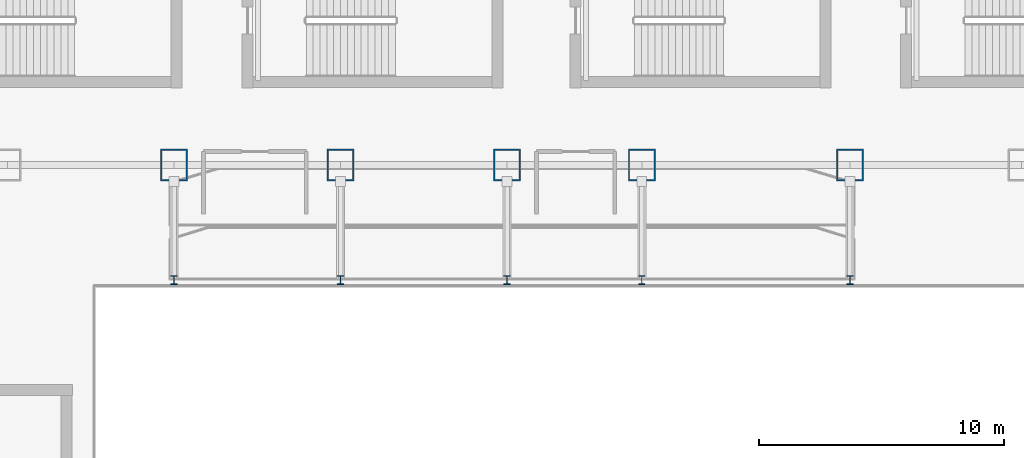
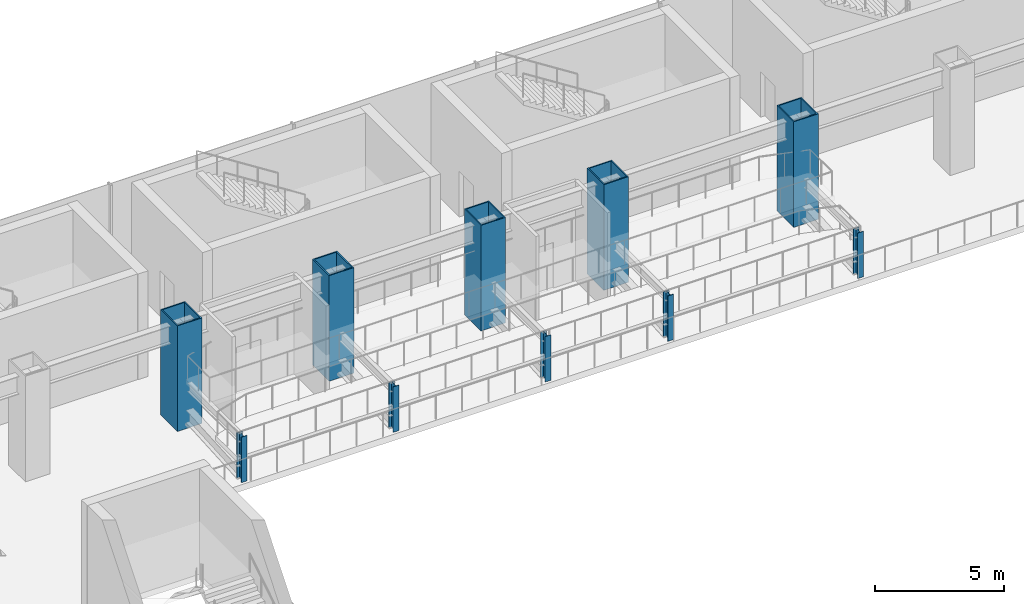
# One storey, part 2 of 39: 10 columns.
"""IFC4 building model written with IfcOpenShell, lengths in metres."""

import ifcopenshell
import ifcopenshell.guid

model = None  # the IFC model being written
_history = None  # IfcOwnerHistory: only IFC2X3 demands one
_inside = {}  # id of a spatial element -> (the spatial element, [elements in it])
_under = {}  # id of a project, library or spatial element -> (it, [spatial elements below it])
_declared = {}  # id of a project -> (the project, [libraries it declares])
_typed = {}  # id of a type object -> (the type object, [elements of that type])
_made_of = {}  # id of a material, layer set ... -> (it, [elements and type objects made of it])


def new_model(schema):
    """Start an empty IFC model of exactly this schema.

    Asked for "IFC4X3", IfcOpenShell would pick the latest addendum, in which some entities
    have other attributes; the version numbers below select the first issue.
    IFC2X3 requires an IfcOwnerHistory on every rooted entity: one is made here for all.
    """
    global model, _history
    if schema == "IFC4X3":
        model = ifcopenshell.file(schema_version=(4, 3, 0, 0))
    else:
        model = ifcopenshell.file(schema=schema)
    _inside.clear()
    _under.clear()
    _declared.clear()
    _typed.clear()
    _made_of.clear()
    _history = None
    if model.schema == "IFC2X3":
        org = make("IfcOrganization", Name="unknown")
        user = make(
            "IfcPersonAndOrganization",
            ThePerson=make("IfcPerson", FamilyName="unknown"),
            TheOrganization=org,
        )
        app = make(
            "IfcApplication",
            ApplicationDeveloper=org,
            Version="unknown",
            ApplicationFullName="unknown",
            ApplicationIdentifier="unknown",
        )
        _history = make(
            "IfcOwnerHistory",
            OwningUser=user,
            OwningApplication=app,
            ChangeAction="ADDED",
            CreationDate=0,
        )
    return model


def make(cls, **values):
    """One entity of the class cls with the attributes given. An attribute that is None is left unset."""
    return model.create_entity(
        cls, **{name: value for name, value in values.items() if value is not None}
    )


def rooted(cls, **values):
    """An entity with a GlobalId (a new one), such as an element, a storey or a relation."""
    return make(cls, GlobalId=ifcopenshell.guid.new(), OwnerHistory=_history, **values)


def si_unit(unit_type, name, prefix=None):
    """IfcSIUnit, for example si_unit("LENGTHUNIT", "METRE", prefix="MILLI")."""
    return make("IfcSIUnit", UnitType=unit_type, Prefix=prefix, Name=name)


def derived_unit(unit_type, elements):
    """IfcDerivedUnit: a product of units, each with its exponent."""
    return make(
        "IfcDerivedUnit",
        Elements=[
            make("IfcDerivedUnitElement", Unit=unit, Exponent=power)
            for unit, power in elements
        ],
        UnitType=unit_type,
    )


def assignment(units):
    """IfcUnitAssignment: the units of a project."""
    return None if units is None else make("IfcUnitAssignment", Units=units)


def point(xyz):
    """IfcCartesianPoint."""
    return None if xyz is None else make("IfcCartesianPoint", Coordinates=xyz)


def direction(xyz):
    """IfcDirection."""
    return None if xyz is None else make("IfcDirection", DirectionRatios=xyz)


def frame(location, z_axis=None, x_axis=None):
    """IfcAxis2Placement3D, a coordinate frame: its origin and axes. An axis left out is left unset."""
    return make(
        "IfcAxis2Placement3D",
        Location=point(location),
        Axis=direction(z_axis),
        RefDirection=direction(x_axis),
    )


def frame_2d(location, x_axis=None):
    """IfcAxis2Placement2D, a coordinate frame in the plane: its origin and x axis."""
    return make(
        "IfcAxis2Placement2D", Location=point(location), RefDirection=direction(x_axis)
    )


def origin():
    """The frame at (0, 0, 0) with its axes left unset."""
    return frame((0.0, 0.0, 0.0))


def origin_2d():
    """The frame at (0, 0) in the plane with its x axis left unset."""
    return frame_2d((0.0, 0.0))


def place(relative_to, where):
    """IfcLocalPlacement: puts the frame where relative to a parent placement (None: the world)."""
    return make(
        "IfcLocalPlacement", PlacementRelTo=relative_to, RelativePlacement=where
    )


def context(
    kind, dimensions, precision=None, world=None, true_north=None, identifier=None
):
    """IfcGeometricRepresentationContext, for example the 3D "Model" context."""
    return make(
        "IfcGeometricRepresentationContext",
        ContextIdentifier=identifier,
        ContextType=kind,
        CoordinateSpaceDimension=dimensions,
        Precision=precision,
        WorldCoordinateSystem=world,
        TrueNorth=true_north,
    )


def subcontext(parent, identifier, kind, view, scale=None):
    """IfcGeometricRepresentationSubContext, for example "Body" below "Model"."""
    return make(
        "IfcGeometricRepresentationSubContext",
        ContextIdentifier=identifier,
        ContextType=kind,
        ParentContext=parent,
        TargetScale=scale,
        TargetView=view,
    )


def project(units=None, contexts=None):
    """IfcProject with its units and contexts."""
    return rooted(
        "IfcProject",
        Name="project",
        RepresentationContexts=contexts,
        UnitsInContext=assignment(units),
    )


def spatial(cls, under=None, at=None, **own):
    """A site, building, storey or space (cls), placed at a placement, below another one or the project."""
    s = rooted(cls, ObjectPlacement=at, **own)
    if under is not None:
        _under.setdefault(under.id(), (under, []))[1].append(s)
    return s


def profile(cls, at=None, kind="AREA", **sizes):
    """A parametric profile (cls). Its sizes go by their IFC names, for example OverallWidth=200.0."""
    return make(cls, ProfileType=kind, Position=at, **sizes)


def hollow_rectangle(**sizes):
    """IfcRectangleHollowProfileDef."""
    return profile("IfcRectangleHollowProfileDef", **sizes)


def i_section(**sizes):
    """IfcIShapeProfileDef."""
    return profile("IfcIShapeProfileDef", **sizes)


def extrude(swept, where, along, depth):
    """IfcExtrudedAreaSolid: the profile swept, set in the frame where, extruded along a direction by depth."""
    return make(
        "IfcExtrudedAreaSolid",
        SweptArea=swept,
        Position=where,
        ExtrudedDirection=direction(along),
        Depth=depth,
    )


def shape(context_of_items, identifier, shape_type, items):
    """IfcShapeRepresentation: the items that make up one representation, for example the "Body"."""
    return make(
        "IfcShapeRepresentation",
        ContextOfItems=context_of_items,
        RepresentationIdentifier=identifier,
        RepresentationType=shape_type,
        Items=items,
    )


def source(mapping_origin, context_of_items, identifier, shape_type, items):
    """IfcRepresentationMap: a shape defined once, which mapped items show again and again."""
    return make(
        "IfcRepresentationMap",
        MappingOrigin=mapping_origin,
        MappedRepresentation=shape(context_of_items, identifier, shape_type, items),
    )


def transform(
    local_origin,
    x_axis=None,
    y_axis=None,
    z_axis=None,
    scale=None,
    scale2=None,
    scale3=None,
    uniform=True,
):
    """IfcCartesianTransformationOperator3D, or its non-uniform kind. x_axis, y_axis, z_axis: its Axis1, 2, 3."""
    if uniform:
        return make(
            "IfcCartesianTransformationOperator3D",
            Axis1=direction(x_axis),
            Axis2=direction(y_axis),
            LocalOrigin=point(local_origin),
            Scale=scale,
            Axis3=direction(z_axis),
        )
    return make(
        "IfcCartesianTransformationOperator3DnonUniform",
        Axis1=direction(x_axis),
        Axis2=direction(y_axis),
        LocalOrigin=point(local_origin),
        Scale=scale,
        Axis3=direction(z_axis),
        Scale2=scale2,
        Scale3=scale3,
    )


def mapped(mapping_source, mapping_target):
    """IfcMappedItem: shows the shape of a source again, moved by a transform."""
    return make(
        "IfcMappedItem", MappingSource=mapping_source, MappingTarget=mapping_target
    )


def material(Name=None, Category=None):
    """IfcMaterial."""
    return make("IfcMaterial", Name=Name, Category=Category)


def material_profile(
    of_material, cross_section, Name=None, Category=None, Priority=None
):
    """IfcMaterialProfile: a cross section and its material."""
    return make(
        "IfcMaterialProfile",
        Name=Name,
        Material=of_material,
        Profile=cross_section,
        Priority=Priority,
        Category=Category,
    )


def profile_set(profiles, Name=None, composite=None):
    """IfcMaterialProfileSet."""
    return make(
        "IfcMaterialProfileSet",
        Name=Name,
        MaterialProfiles=profiles,
        CompositeProfile=composite,
    )


def made_of(thing, what):
    """Note that an element or type object is made of a material, layer set ...; save() writes the relation."""
    if what is not None:
        _made_of.setdefault(what.id(), (what, []))[1].append(thing)
    return thing


def type_object(cls, material=None, **own):
    """A type object (cls), such as IfcWallType, which elements share."""
    return made_of(rooted(cls, **own), material)


def element(
    cls,
    number,
    at=None,
    inside=None,
    cuts=None,
    type_object=None,
    material=None,
    context=None,
    identifier="Body",
    shape_type=None,
    held_by="IfcProductDefinitionShape",
    body=None,
    shapes=None,
    **own,
):
    """One element of the class cls, such as IfcWall. Its Tag is "e" and its number.

    at: its placement. inside: the storey or other place that contains it. cuts: it is an
    opening in that element (IfcRelVoidsElement). A single representation is given by context,
    identifier, shape_type and body (its items); several are given by shapes. held_by: the class
    of the entity that holds the representations. save() writes the other relations.
    """
    e = rooted(cls, Tag="e%d" % number, ObjectPlacement=at, **own)
    if body is not None:
        shapes = [shape(context, identifier, shape_type, body)]
    if shapes is not None:
        e.Representation = make(held_by, Representations=shapes)
    if inside is not None:
        _inside.setdefault(inside.id(), (inside, []))[1].append(e)
    if cuts is not None:
        rooted(
            "IfcRelVoidsElement", RelatingBuildingElement=cuts, RelatedOpeningElement=e
        )
    if type_object is not None:
        _typed.setdefault(type_object.id(), (type_object, []))[1].append(e)
    return made_of(e, material)


def aggregate(whole, parts):
    """IfcRelAggregates: a whole, such as a stair, and the parts it consists of."""
    return rooted("IfcRelAggregates", RelatingObject=whole, RelatedObjects=parts)


def save(model, path):
    """Write the relations noted so far, then the file.

    IfcRelAggregates (storeys below a building ...), IfcRelContainedInSpatialStructure (elements
    in a storey), IfcRelDefinesByType, IfcRelAssociatesMaterial and IfcRelDeclares: one each for
    every whole, place, type object, material and project.
    """
    for whole, parts in _under.values():
        aggregate(whole, parts)
    for where, things in _inside.values():
        rooted(
            "IfcRelContainedInSpatialStructure",
            RelatedElements=things,
            RelatingStructure=where,
        )
    for kind, things in _typed.values():
        rooted("IfcRelDefinesByType", RelatedObjects=things, RelatingType=kind)
    for what, things in _made_of.values():
        rooted("IfcRelAssociatesMaterial", RelatedObjects=things, RelatingMaterial=what)
    for by, libraries in _declared.values():
        rooted("IfcRelDeclares", RelatingContext=by, RelatedDefinitions=libraries)
    model.write(path)


model = new_model("IFC4")

# Units and contexts
model_context = context("Model", 3, precision=1e-05, world=origin(), true_north=direction((0.0, 1.0)))
body_context = subcontext(model_context, "Body", "Model", "MODEL_VIEW")
ifc_project = project(units=[si_unit("LENGTHUNIT", "METRE"), si_unit("AREAUNIT", "SQUARE_METRE"), si_unit("VOLUMEUNIT", "CUBIC_METRE"), si_unit("PLANEANGLEUNIT", "RADIAN"), si_unit("MASSUNIT", "GRAM", prefix="KILO"), derived_unit("THERMALTRANSMITTANCEUNIT", [(si_unit("POWERUNIT", "WATT"), 1), (si_unit("LENGTHUNIT", "METRE"), -2), (si_unit("THERMODYNAMICTEMPERATUREUNIT", "KELVIN"), -1)])], contexts=[model_context])

# Site, building, storey
site_placement = place(None, origin())
site = spatial("IfcSite", under=ifc_project, at=site_placement, CompositionType="ELEMENT")
building_placement = place(site_placement, origin())
building = spatial("IfcBuilding", under=site, at=building_placement, Name="Skarnbrae Concourse Arena and Tower", CompositionType="ELEMENT")
storey_placement = place(building_placement, frame((0.0, 0.0, 16.0)))
storey = spatial("IfcBuildingStorey", under=building, at=storey_placement, Name="L03", CompositionType="ELEMENT", Elevation=16.0)

# Columns
ifc_material = material(Name="Steel CSA G40.21 350W", Category="steel")
ifc_material_profile_1 = material_profile(ifc_material, hollow_rectangle(XDim=1.10009765625, YDim=1.300048828125, WallThickness=0.054931640625, at=origin_2d()), Name="BOX1300X1100X55")
ifc_profile_set_1 = profile_set([ifc_material_profile_1], Name="Steel CSA G40.21 350W")
column_type_1 = type_object("IfcColumnType", Name="COL-MEGA-BOX1300", PredefinedType="PILASTER", material=ifc_profile_set_1)
shared_shape_1 = source(origin(), body_context, "Body", "SweptSolid", [
    extrude(hollow_rectangle(XDim=1.10009765625, YDim=1.300048828125, WallThickness=0.054931640625, at=origin_2d()), origin(), (0.0, 0.0, 1.0), 5.0),
])
for number, where, z_axis, x_axis, name in (
    (1, (14.39990234375, 47.0, 0.0), (0.0, 0.0, 1.0), (1.0, 0.0, 0.0), "L03 Podium mega-column MC-N3"),
    (2, (21.199951171875, 47.0, 0.0), (0.0, 0.0, 1.0), (1.0, 0.0, 0.0), "L03 Podium mega-column MC-N4"),
    (3, (28.0, 47.0, 0.0), (0.0, 0.0, 1.0), (1.0, 0.0, 0.0), "L03 Podium mega-column MC-N5"),
    (4, (33.5, 47.0, 0.0), (0.0, 0.0, 1.0), (1.0, 0.0, 0.0), "L03 Podium mega-column MC-N6"),
    (5, (42.0, 47.0, 0.0), (0.0, 0.0, 1.0), (1.0, 0.0, 0.0), "L03 Podium mega-column MC-N7"),
):
    element("IfcColumn", number, at=place(storey_placement, frame(where, z_axis=z_axis, x_axis=x_axis)), inside=storey, type_object=column_type_1, Name=name, PredefinedType="PILASTER", context=body_context, shape_type="MappedRepresentation", body=[
        mapped(shared_shape_1, transform((0.0, 0.0, 0.0))),
    ])
ifc_material_profile_2 = material_profile(ifc_material, i_section(OverallWidth=0.257080078125, OverallDepth=0.363037109375, WebThickness=0.012939453125, FlangeThickness=0.021728515625, at=origin_2d()), Name="W360X122")
ifc_profile_set_2 = profile_set([ifc_material_profile_2], Name="Steel CSA G40.21 350W")
column_type_2 = type_object("IfcColumnType", Name="COL-POD-W360X122", PredefinedType="COLUMN", material=ifc_profile_set_2)
shared_shape_2 = source(origin(), body_context, "Body", "SweptSolid", [
    extrude(i_section(OverallWidth=0.257080078125, OverallDepth=0.363037109375, WebThickness=0.012939453125, FlangeThickness=0.021728515625, at=origin_2d()), origin(), (0.0, 0.0, 1.0), 2.14990234375),
])
for number, where, z_axis, x_axis, name in (
    (6, (14.39990234375, 42.300048828125, 0.0), (0.0, 0.0, 1.0), (1.0, 0.0, 0.0), "L03 Arena seating stand toe column X14"),
    (7, (21.199951171875, 42.300048828125, 0.0), (0.0, 0.0, 1.0), (1.0, 0.0, 0.0), "L03 Arena seating stand toe column X21"),
    (8, (28.0, 42.300048828125, 0.0), (0.0, 0.0, 1.0), (1.0, 0.0, 0.0), "L03 Arena seating stand toe column X28"),
    (9, (33.5, 42.300048828125, 0.0), (0.0, 0.0, 1.0), (1.0, 0.0, 0.0), "L03 Arena seating stand toe column X33"),
    (10, (42.0, 42.300048828125, 0.0), (0.0, 0.0, 1.0), (1.0, 0.0, 0.0), "L03 Arena seating stand toe column X42"),
):
    element("IfcColumn", number, at=place(storey_placement, frame(where, z_axis=z_axis, x_axis=x_axis)), inside=storey, type_object=column_type_2, Name=name, PredefinedType="COLUMN", context=body_context, shape_type="MappedRepresentation", body=[
        mapped(shared_shape_2, transform((0.0, 0.0, 0.0))),
    ])

save(model, "model.ifc")
